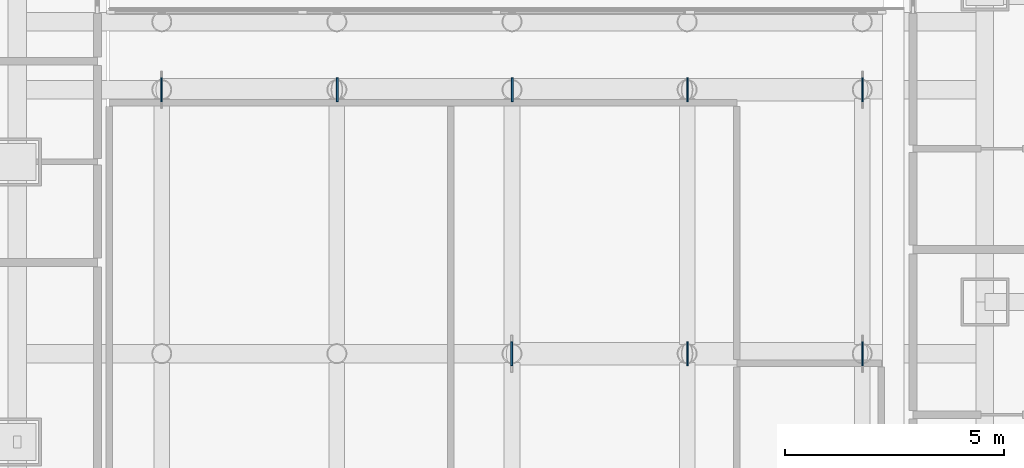
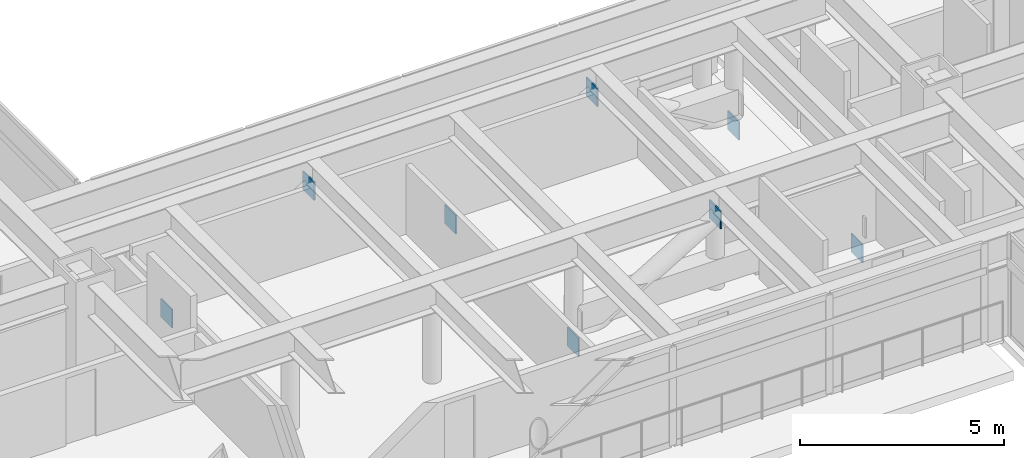
# One storey, part 14 of 29: 8 plates.
"""IFC4 building model written with IfcOpenShell, lengths in metres."""

from ifc_helpers import new_model, si_unit, direction, frame, origin, origin_2d, place, context, subcontext, project, spatial, rectangle, extrude, material, layer, layer_set, type_object, element, save


model = new_model("IFC4")

# Units and contexts
model_context = context("Model", 3, precision=1e-05, world=origin(), true_north=direction((0.0, 1.0)))
body_context = subcontext(model_context, "Body", "Model", "MODEL_VIEW")
ifc_project = project(units=[si_unit("LENGTHUNIT", "METRE"), si_unit("AREAUNIT", "SQUARE_METRE"), si_unit("VOLUMEUNIT", "CUBIC_METRE"), si_unit("PLANEANGLEUNIT", "RADIAN"), si_unit("MASSUNIT", "GRAM", prefix="KILO")], contexts=[model_context])

# Site, building, storey
site_placement = place(None, origin())
site = spatial("IfcSite", under=ifc_project, at=site_placement, CompositionType="ELEMENT")
building_placement = place(site_placement, origin())
building = spatial("IfcBuilding", under=site, at=building_placement, Name="Mirazonda Arch Towers", CompositionType="ELEMENT")
storey_placement = place(building_placement, frame((0.0, 0.0, 88.39990234375)))
storey = spatial("IfcBuildingStorey", under=building, at=storey_placement, Name="L24", CompositionType="ELEMENT", Elevation=88.39990234375)

# Plates
ifc_material = material(Name="Steel ASTM A572 Grade 50", Category="steel")
ifc_layer = layer(ifc_material, 0.030029296875, Name="PLATE-CAP-550x550x30")
ifc_layer_set = layer_set([ifc_layer], Name="Steel ASTM A572 Grade 50")
plate_type = type_object("IfcPlateType", Name="PLATE-CAP-550x550x30", PredefinedType="USERDEFINED", material=ifc_layer_set)
for number, where, z_axis, x_axis, name in (
    (1, (50.193115234375, 26.820068359375, -0.56884765625), (0.0, 0.0, 1.0), (-1.0, 0.0, 0.0), "Steel end closure plate NP-BRG-L24-IS-DG3A"),
    (2, (54.206787109375, 26.820068359375, 1.83203125), (0.0, 0.0, 1.0), (1.0, 0.0, 0.0), "Steel end closure plate NP-BRG-L24-IS-DG3B"),
    (3, (58.206787109375, 26.820068359375, -0.56884765625), (0.0, 0.0, 1.0), (1.0, 0.0, 0.0), "Steel end closure plate NP-BRG-L24-IS-DG4B"),
    (4, (42.193115234375, 32.85009765625, -0.56884765625), (0.0, 0.0, 1.0), (-1.0, 0.0, 0.0), "Steel end closure plate NP-BRG-L24-IN-DG1A"),
    (5, (46.206787109375, 32.85009765625, 1.83203125), (0.0, 0.0, 1.0), (1.0, 0.0, 0.0), "Steel end closure plate NP-BRG-L24-IN-DG1B"),
    (6, (50.206787109375, 32.85009765625, -0.56884765625), (0.0, 0.0, 1.0), (1.0, 0.0, 0.0), "Steel end closure plate NP-BRG-L24-IN-DG2B"),
    (7, (54.206787109375, 32.85009765625, 1.83203125), (0.0, 0.0, 1.0), (1.0, 0.0, 0.0), "Steel end closure plate NP-BRG-L24-IN-DG3B"),
    (8, (58.206787109375, 32.85009765625, -0.56884765625), (0.0, 0.0, 1.0), (1.0, 0.0, 0.0), "Steel end closure plate NP-BRG-L24-IN-DG4B"),
):
    element("IfcPlate", number, at=place(storey_placement, frame(where, z_axis=z_axis, x_axis=x_axis)), inside=storey, type_object=plate_type, Name=name, ObjectType="CAP PLATE", PredefinedType="USERDEFINED", context=body_context, shape_type="SweptSolid", body=[
        extrude(rectangle(XDim=0.0400390625, YDim=0.550048828125, at=origin_2d()), origin(), (0.0, 0.0, 1.0), 0.550048828125),
    ])

save(model, "model.ifc")
